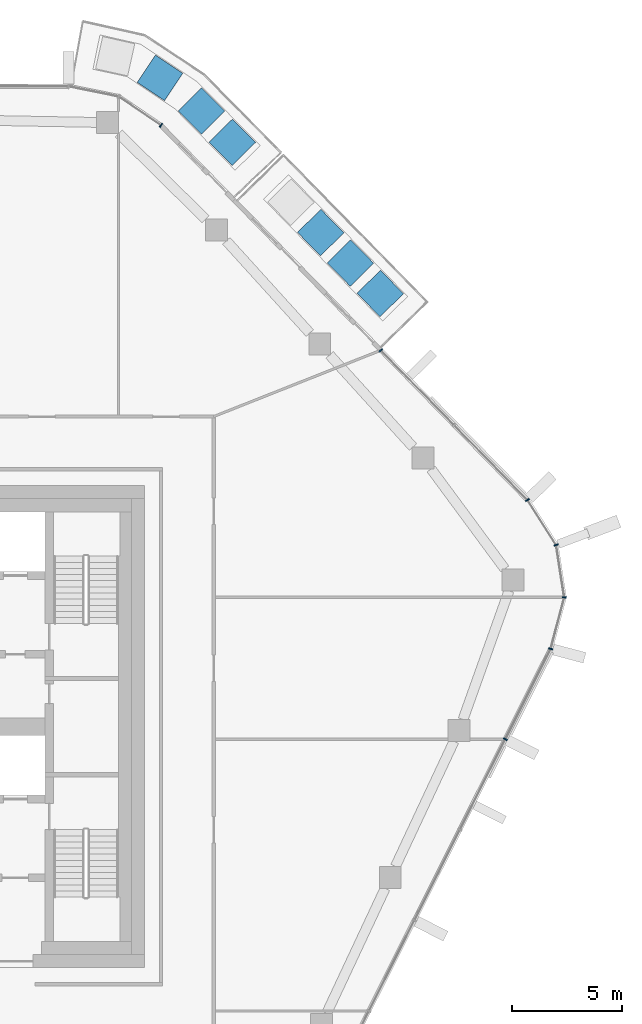
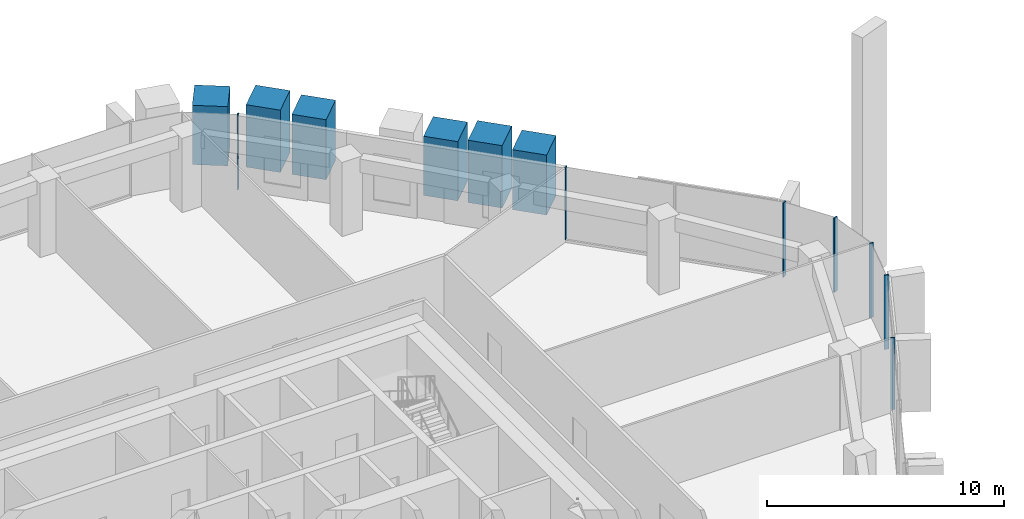
# One storey, part 10 of 24: 13 members, 4 elements without a shape of their own.
"""IFC4 building model written with IfcOpenShell, lengths in metres."""

import ifcopenshell
import ifcopenshell.guid

model = None  # the IFC model being written
_history = None  # IfcOwnerHistory: only IFC2X3 demands one
_inside = {}  # id of a spatial element -> (the spatial element, [elements in it])
_under = {}  # id of a project, library or spatial element -> (it, [spatial elements below it])
_declared = {}  # id of a project -> (the project, [libraries it declares])
_typed = {}  # id of a type object -> (the type object, [elements of that type])
_made_of = {}  # id of a material, layer set ... -> (it, [elements and type objects made of it])


def new_model(schema):
    """Start an empty IFC model of exactly this schema.

    Asked for "IFC4X3", IfcOpenShell would pick the latest addendum, in which some entities
    have other attributes; the version numbers below select the first issue.
    IFC2X3 requires an IfcOwnerHistory on every rooted entity: one is made here for all.
    """
    global model, _history
    if schema == "IFC4X3":
        model = ifcopenshell.file(schema_version=(4, 3, 0, 0))
    else:
        model = ifcopenshell.file(schema=schema)
    _inside.clear()
    _under.clear()
    _declared.clear()
    _typed.clear()
    _made_of.clear()
    _history = None
    if model.schema == "IFC2X3":
        org = make("IfcOrganization", Name="unknown")
        user = make(
            "IfcPersonAndOrganization",
            ThePerson=make("IfcPerson", FamilyName="unknown"),
            TheOrganization=org,
        )
        app = make(
            "IfcApplication",
            ApplicationDeveloper=org,
            Version="unknown",
            ApplicationFullName="unknown",
            ApplicationIdentifier="unknown",
        )
        _history = make(
            "IfcOwnerHistory",
            OwningUser=user,
            OwningApplication=app,
            ChangeAction="ADDED",
            CreationDate=0,
        )
    return model


def make(cls, **values):
    """One entity of the class cls with the attributes given. An attribute that is None is left unset."""
    return model.create_entity(
        cls, **{name: value for name, value in values.items() if value is not None}
    )


def rooted(cls, **values):
    """An entity with a GlobalId (a new one), such as an element, a storey or a relation."""
    return make(cls, GlobalId=ifcopenshell.guid.new(), OwnerHistory=_history, **values)


def si_unit(unit_type, name, prefix=None):
    """IfcSIUnit, for example si_unit("LENGTHUNIT", "METRE", prefix="MILLI")."""
    return make("IfcSIUnit", UnitType=unit_type, Prefix=prefix, Name=name)


def assignment(units):
    """IfcUnitAssignment: the units of a project."""
    return None if units is None else make("IfcUnitAssignment", Units=units)


def point(xyz):
    """IfcCartesianPoint."""
    return None if xyz is None else make("IfcCartesianPoint", Coordinates=xyz)


def direction(xyz):
    """IfcDirection."""
    return None if xyz is None else make("IfcDirection", DirectionRatios=xyz)


def frame(location, z_axis=None, x_axis=None):
    """IfcAxis2Placement3D, a coordinate frame: its origin and axes. An axis left out is left unset."""
    return make(
        "IfcAxis2Placement3D",
        Location=point(location),
        Axis=direction(z_axis),
        RefDirection=direction(x_axis),
    )


def frame_2d(location, x_axis=None):
    """IfcAxis2Placement2D, a coordinate frame in the plane: its origin and x axis."""
    return make(
        "IfcAxis2Placement2D", Location=point(location), RefDirection=direction(x_axis)
    )


def origin():
    """The frame at (0, 0, 0) with its axes left unset."""
    return frame((0.0, 0.0, 0.0))


def origin_2d():
    """The frame at (0, 0) in the plane with its x axis left unset."""
    return frame_2d((0.0, 0.0))


def place(relative_to, where):
    """IfcLocalPlacement: puts the frame where relative to a parent placement (None: the world)."""
    return make(
        "IfcLocalPlacement", PlacementRelTo=relative_to, RelativePlacement=where
    )


def context(
    kind, dimensions, precision=None, world=None, true_north=None, identifier=None
):
    """IfcGeometricRepresentationContext, for example the 3D "Model" context."""
    return make(
        "IfcGeometricRepresentationContext",
        ContextIdentifier=identifier,
        ContextType=kind,
        CoordinateSpaceDimension=dimensions,
        Precision=precision,
        WorldCoordinateSystem=world,
        TrueNorth=true_north,
    )


def subcontext(parent, identifier, kind, view, scale=None):
    """IfcGeometricRepresentationSubContext, for example "Body" below "Model"."""
    return make(
        "IfcGeometricRepresentationSubContext",
        ContextIdentifier=identifier,
        ContextType=kind,
        ParentContext=parent,
        TargetScale=scale,
        TargetView=view,
    )


def project(units=None, contexts=None):
    """IfcProject with its units and contexts."""
    return rooted(
        "IfcProject",
        Name="project",
        RepresentationContexts=contexts,
        UnitsInContext=assignment(units),
    )


def spatial(cls, under=None, at=None, **own):
    """A site, building, storey or space (cls), placed at a placement, below another one or the project."""
    s = rooted(cls, ObjectPlacement=at, **own)
    if under is not None:
        _under.setdefault(under.id(), (under, []))[1].append(s)
    return s


def profile(cls, at=None, kind="AREA", **sizes):
    """A parametric profile (cls). Its sizes go by their IFC names, for example OverallWidth=200.0."""
    return make(cls, ProfileType=kind, Position=at, **sizes)


def rectangle(**sizes):
    """IfcRectangleProfileDef."""
    return profile("IfcRectangleProfileDef", **sizes)


def extrude(swept, where, along, depth):
    """IfcExtrudedAreaSolid: the profile swept, set in the frame where, extruded along a direction by depth."""
    return make(
        "IfcExtrudedAreaSolid",
        SweptArea=swept,
        Position=where,
        ExtrudedDirection=direction(along),
        Depth=depth,
    )


def shape(context_of_items, identifier, shape_type, items):
    """IfcShapeRepresentation: the items that make up one representation, for example the "Body"."""
    return make(
        "IfcShapeRepresentation",
        ContextOfItems=context_of_items,
        RepresentationIdentifier=identifier,
        RepresentationType=shape_type,
        Items=items,
    )


def material(Name=None, Category=None):
    """IfcMaterial."""
    return make("IfcMaterial", Name=Name, Category=Category)


def layer(
    of_material, thickness, ventilated=None, Name=None, Category=None, Priority=None
):
    """IfcMaterialLayer: one layer of a wall or slab, of a material (None: an air gap)."""
    return make(
        "IfcMaterialLayer",
        Material=of_material,
        LayerThickness=thickness,
        IsVentilated=ventilated,
        Name=Name,
        Category=Category,
        Priority=Priority,
    )


def layer_set(layers, Name=None):
    """IfcMaterialLayerSet."""
    return make("IfcMaterialLayerSet", MaterialLayers=layers, LayerSetName=Name)


def material_profile(
    of_material, cross_section, Name=None, Category=None, Priority=None
):
    """IfcMaterialProfile: a cross section and its material."""
    return make(
        "IfcMaterialProfile",
        Name=Name,
        Material=of_material,
        Profile=cross_section,
        Priority=Priority,
        Category=Category,
    )


def profile_set(profiles, Name=None, composite=None):
    """IfcMaterialProfileSet."""
    return make(
        "IfcMaterialProfileSet",
        Name=Name,
        MaterialProfiles=profiles,
        CompositeProfile=composite,
    )


def made_of(thing, what):
    """Note that an element or type object is made of a material, layer set ...; save() writes the relation."""
    if what is not None:
        _made_of.setdefault(what.id(), (what, []))[1].append(thing)
    return thing


def type_object(cls, material=None, **own):
    """A type object (cls), such as IfcWallType, which elements share."""
    return made_of(rooted(cls, **own), material)


def element(
    cls,
    number,
    at=None,
    inside=None,
    cuts=None,
    type_object=None,
    material=None,
    context=None,
    identifier="Body",
    shape_type=None,
    held_by="IfcProductDefinitionShape",
    body=None,
    shapes=None,
    **own,
):
    """One element of the class cls, such as IfcWall. Its Tag is "e" and its number.

    at: its placement. inside: the storey or other place that contains it. cuts: it is an
    opening in that element (IfcRelVoidsElement). A single representation is given by context,
    identifier, shape_type and body (its items); several are given by shapes. held_by: the class
    of the entity that holds the representations. save() writes the other relations.
    """
    e = rooted(cls, Tag="e%d" % number, ObjectPlacement=at, **own)
    if body is not None:
        shapes = [shape(context, identifier, shape_type, body)]
    if shapes is not None:
        e.Representation = make(held_by, Representations=shapes)
    if inside is not None:
        _inside.setdefault(inside.id(), (inside, []))[1].append(e)
    if cuts is not None:
        rooted(
            "IfcRelVoidsElement", RelatingBuildingElement=cuts, RelatedOpeningElement=e
        )
    if type_object is not None:
        _typed.setdefault(type_object.id(), (type_object, []))[1].append(e)
    return made_of(e, material)


def aggregate(whole, parts):
    """IfcRelAggregates: a whole, such as a stair, and the parts it consists of."""
    return rooted("IfcRelAggregates", RelatingObject=whole, RelatedObjects=parts)


def save(model, path):
    """Write the relations noted so far, then the file.

    IfcRelAggregates (storeys below a building ...), IfcRelContainedInSpatialStructure (elements
    in a storey), IfcRelDefinesByType, IfcRelAssociatesMaterial and IfcRelDeclares: one each for
    every whole, place, type object, material and project.
    """
    for whole, parts in _under.values():
        aggregate(whole, parts)
    for where, things in _inside.values():
        rooted(
            "IfcRelContainedInSpatialStructure",
            RelatedElements=things,
            RelatingStructure=where,
        )
    for kind, things in _typed.values():
        rooted("IfcRelDefinesByType", RelatedObjects=things, RelatingType=kind)
    for what, things in _made_of.values():
        rooted("IfcRelAssociatesMaterial", RelatedObjects=things, RelatingMaterial=what)
    for by, libraries in _declared.values():
        rooted("IfcRelDeclares", RelatingContext=by, RelatedDefinitions=libraries)
    model.write(path)


model = new_model("IFC4")

# Units and contexts
model_context = context("Model", 3, precision=1e-05, world=origin(), true_north=direction((0.0, 1.0)))
body_context = subcontext(model_context, "Body", "Model", "MODEL_VIEW")
ifc_project = project(units=[si_unit("LENGTHUNIT", "METRE"), si_unit("AREAUNIT", "SQUARE_METRE"), si_unit("VOLUMEUNIT", "CUBIC_METRE"), si_unit("PLANEANGLEUNIT", "RADIAN"), si_unit("MASSUNIT", "GRAM", prefix="KILO")], contexts=[model_context])

# Site, building, storey
site_placement = place(None, origin())
site = spatial("IfcSite", under=ifc_project, at=site_placement, CompositionType="ELEMENT")
building_placement = place(site_placement, origin())
building = spatial("IfcBuilding", under=site, at=building_placement, Name="Dongbaek Canopy Tower", CompositionType="ELEMENT")
storey_placement = place(building_placement, frame((0.0, 0.0, 306.800048828125)))
storey = spatial("IfcBuildingStorey", under=building, at=storey_placement, Name="L65", CompositionType="ELEMENT", Elevation=306.800048828125)

# Curtain wall, members
ifc_material_1 = material(Name="Aluminium 6063-T6 pale anodised", Category="aluminium")
ifc_layer = layer(ifc_material_1, 0.199951171875)
ifc_layer_set = layer_set([ifc_layer], Name="CW-1 unitised tower curtain wall")
curtain_wall_type = type_object("IfcCurtainWallType", Name="CW-1 unitised tower curtain wall", PredefinedType="NOTDEFINED", material=ifc_layer_set)
curtain_wall_1_placement = place(storey_placement, origin())
curtain_wall_1 = element("IfcCurtainWall", 1, at=curtain_wall_1_placement, inside=storey, type_object=curtain_wall_type, Name="CW-1 curtain wall K0.1", PredefinedType="NOTDEFINED")
ifc_material_2 = material(Name="Aluminium 6063-T6 pale anodised", Category="aluminium")
ifc_material_profile_1 = material_profile(ifc_material_2, rectangle(XDim=0.199951171875, YDim=0.06005859375, at=origin_2d()), Name="CW-1 mullion 60 x 200")
ifc_profile_set_1 = profile_set([ifc_material_profile_1], Name="Aluminium 6063-T6 pale anodised")
member_type_1 = type_object("IfcMemberType", Name="CW-1 mullion 60 x 200", PredefinedType="MULLION", material=ifc_profile_set_1)
member_1_placement = place(storey_placement, frame((32.529541015625, 3.55126953125, 0.0), z_axis=(0.0, 0.0, 1.0), x_axis=(0.966753373375, -0.255710608049, 0.0)))
member_1 = element("IfcMember", 2, at=member_1_placement, type_object=member_type_1, Name="CW-1 mullion K0.1.1", PredefinedType="MULLION", context=body_context, shape_type="SweptSolid", body=[
    extrude(rectangle(XDim=0.199951171875, YDim=0.06005859375, at=origin_2d()), origin(), (0.0, 0.0, 1.0), 3.820068359375),
])
member_2_placement = place(storey_placement, frame((33.15087890625, 5.90087890625, 0.0), z_axis=(0.0, 0.0, 1.0), x_axis=(0.998649925147, -0.051945423314, 0.0)))
member_2 = element("IfcMember", 3, at=member_2_placement, type_object=member_type_1, Name="CW-1 mullion K0.1.2", PredefinedType="MULLION", context=body_context, shape_type="SweptSolid", body=[
    extrude(rectangle(XDim=0.199951171875, YDim=0.06005859375, at=origin_2d()), origin(), (0.0, 0.0, 1.0), 3.820068359375),
])
member_3_placement = place(storey_placement, frame((32.778076171875, 8.291748046875, 0.0), z_axis=(0.0, 0.0, 1.0), x_axis=(0.935452598022, 0.353452170532, 0.0)))
member_3 = element("IfcMember", 4, at=member_3_placement, type_object=member_type_1, Name="CW-1 mullion K0.1.3", PredefinedType="MULLION", context=body_context, shape_type="SweptSolid", body=[
    extrude(rectangle(XDim=0.199951171875, YDim=0.06005859375, at=origin_2d()), origin(), (0.0, 0.0, 1.0), 3.820068359375),
])
member_4_placement = place(storey_placement, frame((31.470947265625, 10.3408203125, 0.0), z_axis=(0.0, 0.0, 1.0), x_axis=(0.843046984311, 0.537839922509, 0.0)))
member_4 = element("IfcMember", 5, at=member_4_placement, type_object=member_type_1, Name="CW-1 mullion K0.1.4", PredefinedType="MULLION", context=body_context, shape_type="SweptSolid", body=[
    extrude(rectangle(XDim=0.199951171875, YDim=0.06005859375, at=origin_2d()), origin(), (0.0, 0.0, 1.0), 3.820068359375),
])
aggregate(curtain_wall_1, [member_1, member_2, member_3, member_4])

# Curtain wall, member
curtain_wall_2_placement = place(storey_placement, origin())
curtain_wall_2 = element("IfcCurtainWall", 6, at=curtain_wall_2_placement, inside=storey, type_object=curtain_wall_type, Name="CW-1 curtain wall F0.1", PredefinedType="NOTDEFINED")
member_5_placement = place(storey_placement, frame((24.7822265625, 17.17724609375, 0.119873046875), z_axis=(0.0, 0.0, 1.0), x_axis=(0.714780141035, 0.699349233203, 0.0)))
member_5 = element("IfcMember", 7, at=member_5_placement, type_object=member_type_1, Name="CW-1 mullion F0.1.3", PredefinedType="MULLION", context=body_context, shape_type="SweptSolid", body=[
    extrude(rectangle(XDim=0.199951171875, YDim=0.06005859375, at=origin_2d()), origin(), (0.0, 0.0, 1.0), 3.7001953125),
])
aggregate(curtain_wall_2, [member_5])

curtain_wall_3_placement = place(storey_placement, origin())
curtain_wall_3 = element("IfcCurtainWall", 8, at=curtain_wall_3_placement, inside=storey, type_object=curtain_wall_type, Name="CW-1 curtain wall K1.1", PredefinedType="NOTDEFINED")
member_6_placement = place(storey_placement, frame((14.7451171875, 27.435546875, 0.0), z_axis=(0.0, 0.0, 1.0), x_axis=(0.562806606992, 0.826588605732, 0.0)))
member_6 = element("IfcMember", 9, at=member_6_placement, type_object=member_type_1, Name="CW-1 mullion K1.1.1", PredefinedType="MULLION", context=body_context, shape_type="SweptSolid", body=[
    extrude(rectangle(XDim=0.199951171875, YDim=0.06005859375, at=origin_2d()), origin(), (0.0, 0.0, 1.0), 3.820068359375),
])
aggregate(curtain_wall_3, [member_6])

curtain_wall_4_placement = place(storey_placement, origin())
curtain_wall_4 = element("IfcCurtainWall", 10, at=curtain_wall_4_placement, inside=storey, type_object=curtain_wall_type, Name="CW-1 curtain wall F5.1", PredefinedType="NOTDEFINED")
member_7_placement = place(storey_placement, frame((30.459228515625, -0.573486328125, 0.119873046875), z_axis=(0.0, 0.0, 1.0), x_axis=(0.893733414129, -0.448598466859, 0.0)))
member_7 = element("IfcMember", 11, at=member_7_placement, type_object=member_type_1, Name="CW-1 mullion F5.1.7", PredefinedType="MULLION", context=body_context, shape_type="SweptSolid", body=[
    extrude(rectangle(XDim=0.199951171875, YDim=0.06005859375, at=origin_2d()), origin(), (0.0, 0.0, 1.0), 3.7001953125),
])
aggregate(curtain_wall_4, [member_7])

# Members
ifc_material_3 = material(Name="Concrete C40/50 planter mass with planting", Category="concrete")
ifc_material_profile_2 = material_profile(ifc_material_3, rectangle(XDim=1.5, YDim=1.5, at=origin_2d()), Name="Terrace PLANTER shrub mass 1500 x 1500")
ifc_profile_set_2 = profile_set([ifc_material_profile_2], Name="Concrete C40/50 planter mass with planting")
member_type_2 = type_object("IfcMemberType", Name="Terrace PLANTER shrub mass 1500 x 1500", PredefinedType="USERDEFINED", material=ifc_profile_set_2)
member_8_placement = place(storey_placement, frame((24.752685546875, 19.766845703125, 0.419921875), z_axis=(0.0, 0.0, 1.0), x_axis=(0.714780141035, 0.699349233203, 0.0)))
element("IfcMember", 12, at=member_8_placement, inside=storey, type_object=member_type_2, Name="Planter shrubs L65 1.1", ObjectType="PLANTER", PredefinedType="USERDEFINED", context=body_context, shape_type="SweptSolid", body=[
    extrude(rectangle(XDim=1.5, YDim=1.5, at=origin_2d()), origin(), (0.0, 0.0, 1.0), 3.090087890625),
])
member_9_placement = place(storey_placement, frame((23.393310546875, 21.15625, 0.419921875), z_axis=(0.0, 0.0, 1.0), x_axis=(0.714780141035, 0.699349233203, 0.0)))
element("IfcMember", 13, at=member_9_placement, inside=storey, type_object=member_type_2, Name="Planter shrubs L65 1.2", ObjectType="PLANTER", PredefinedType="USERDEFINED", context=body_context, shape_type="SweptSolid", body=[
    extrude(rectangle(XDim=1.5, YDim=1.5, at=origin_2d()), origin(), (0.0, 0.0, 1.0), 3.2099609375),
])
member_10_placement = place(storey_placement, frame((22.0341796875, 22.54541015625, 0.419921875), z_axis=(0.0, 0.0, 1.0), x_axis=(0.714780141035, 0.699349233203, 0.0)))
element("IfcMember", 14, at=member_10_placement, inside=storey, type_object=member_type_2, Name="Planter shrubs L65 1.3", ObjectType="PLANTER", PredefinedType="USERDEFINED", context=body_context, shape_type="SweptSolid", body=[
    extrude(rectangle(XDim=1.5, YDim=1.5, at=origin_2d()), origin(), (0.0, 0.0, 1.0), 3.050048828125),
])
member_11_placement = place(storey_placement, frame((17.999755859375, 26.666015625, 0.419921875), z_axis=(0.0, 0.0, 1.0), x_axis=(0.713325765474, 0.700832613619, 0.0)))
element("IfcMember", 15, at=member_11_placement, inside=storey, type_object=member_type_2, Name="Planter shrubs L65 5.1", ObjectType="PLANTER", PredefinedType="USERDEFINED", context=body_context, shape_type="SweptSolid", body=[
    extrude(rectangle(XDim=1.5, YDim=1.5, at=origin_2d()), origin(), (0.0, 0.0, 1.0), 3.090087890625),
])
member_12_placement = place(storey_placement, frame((16.59619140625, 28.09423828125, 0.419921875), z_axis=(0.0, 0.0, 1.0), x_axis=(0.713325765474, 0.700832613619, 0.0)))
element("IfcMember", 16, at=member_12_placement, inside=storey, type_object=member_type_2, Name="Planter shrubs L65 5.2", ObjectType="PLANTER", PredefinedType="USERDEFINED", context=body_context, shape_type="SweptSolid", body=[
    extrude(rectangle(XDim=1.5, YDim=1.5, at=origin_2d()), origin(), (0.0, 0.0, 1.0), 3.2099609375),
])
member_13_placement = place(storey_placement, frame((14.702392578125, 29.605224609375, 0.419921875), z_axis=(0.0, 0.0, 1.0), x_axis=(0.555614839947, 0.831439805176, 0.0)))
element("IfcMember", 17, at=member_13_placement, inside=storey, type_object=member_type_2, Name="Planter shrubs L65 5.3", ObjectType="PLANTER", PredefinedType="USERDEFINED", context=body_context, shape_type="SweptSolid", body=[
    extrude(rectangle(XDim=1.5, YDim=1.5, at=origin_2d()), origin(), (0.0, 0.0, 1.0), 3.050048828125),
])

save(model, "model.ifc")
